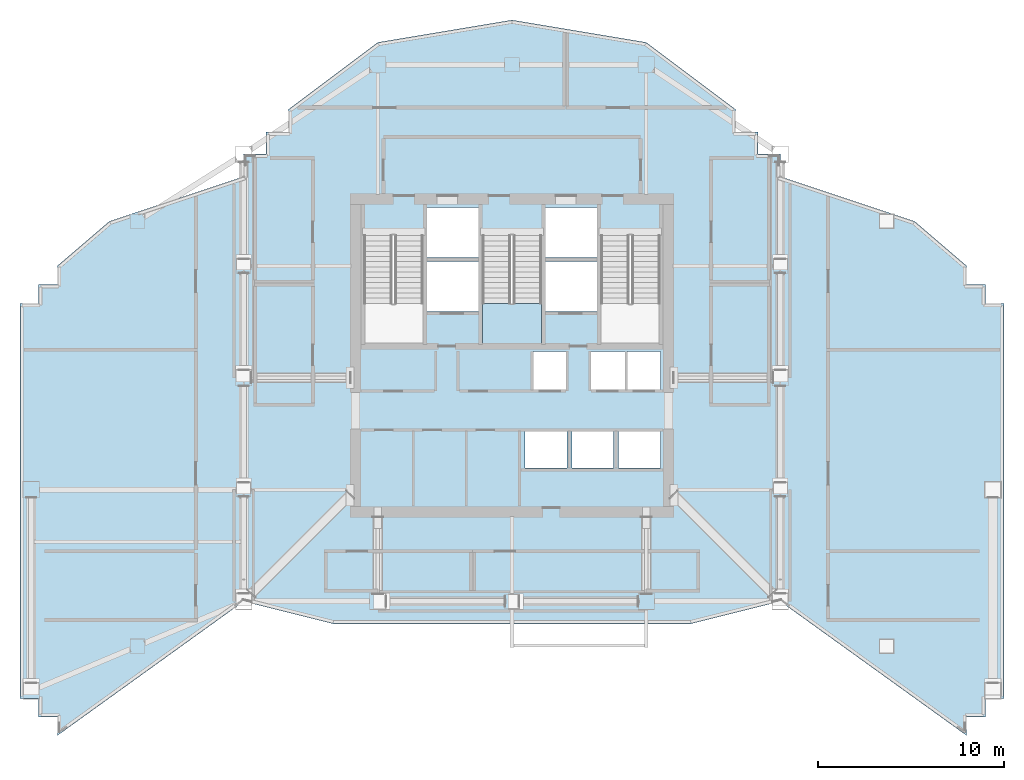
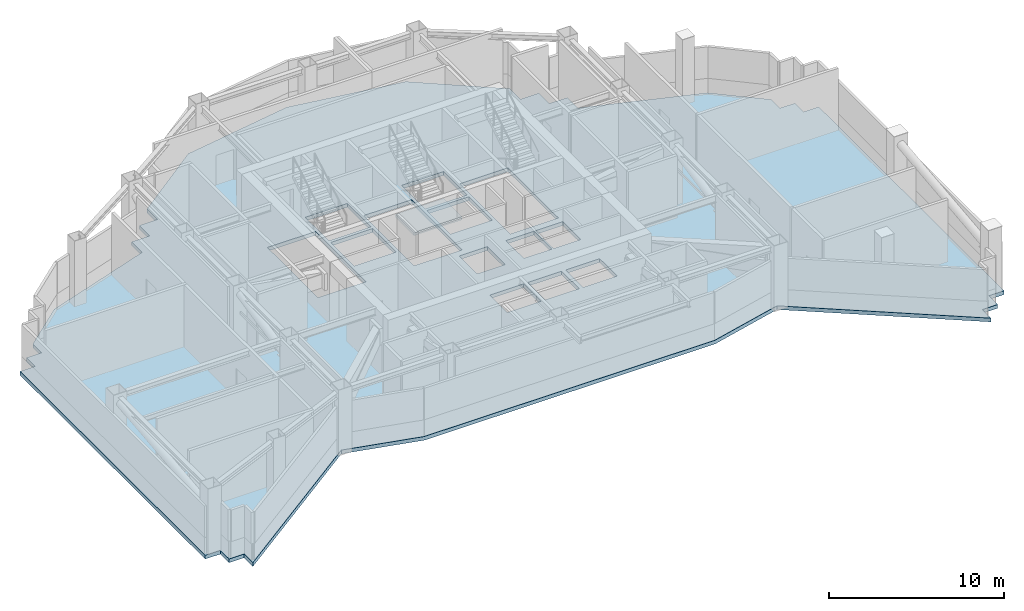
# One storey, part 4 of 19: 2 slabs, 1 element without a shape of its own.
"""IFC4 building model written with IfcOpenShell, lengths in metres."""

import ifcopenshell
import ifcopenshell.guid

model = None  # the IFC model being written
_history = None  # IfcOwnerHistory: only IFC2X3 demands one
_inside = {}  # id of a spatial element -> (the spatial element, [elements in it])
_under = {}  # id of a project, library or spatial element -> (it, [spatial elements below it])
_declared = {}  # id of a project -> (the project, [libraries it declares])
_typed = {}  # id of a type object -> (the type object, [elements of that type])
_made_of = {}  # id of a material, layer set ... -> (it, [elements and type objects made of it])


def new_model(schema):
    """Start an empty IFC model of exactly this schema.

    Asked for "IFC4X3", IfcOpenShell would pick the latest addendum, in which some entities
    have other attributes; the version numbers below select the first issue.
    IFC2X3 requires an IfcOwnerHistory on every rooted entity: one is made here for all.
    """
    global model, _history
    if schema == "IFC4X3":
        model = ifcopenshell.file(schema_version=(4, 3, 0, 0))
    else:
        model = ifcopenshell.file(schema=schema)
    _inside.clear()
    _under.clear()
    _declared.clear()
    _typed.clear()
    _made_of.clear()
    _history = None
    if model.schema == "IFC2X3":
        org = make("IfcOrganization", Name="unknown")
        user = make(
            "IfcPersonAndOrganization",
            ThePerson=make("IfcPerson", FamilyName="unknown"),
            TheOrganization=org,
        )
        app = make(
            "IfcApplication",
            ApplicationDeveloper=org,
            Version="unknown",
            ApplicationFullName="unknown",
            ApplicationIdentifier="unknown",
        )
        _history = make(
            "IfcOwnerHistory",
            OwningUser=user,
            OwningApplication=app,
            ChangeAction="ADDED",
            CreationDate=0,
        )
    return model


def make(cls, **values):
    """One entity of the class cls with the attributes given. An attribute that is None is left unset."""
    return model.create_entity(
        cls, **{name: value for name, value in values.items() if value is not None}
    )


def rooted(cls, **values):
    """An entity with a GlobalId (a new one), such as an element, a storey or a relation."""
    return make(cls, GlobalId=ifcopenshell.guid.new(), OwnerHistory=_history, **values)


def si_unit(unit_type, name, prefix=None):
    """IfcSIUnit, for example si_unit("LENGTHUNIT", "METRE", prefix="MILLI")."""
    return make("IfcSIUnit", UnitType=unit_type, Prefix=prefix, Name=name)


def assignment(units):
    """IfcUnitAssignment: the units of a project."""
    return None if units is None else make("IfcUnitAssignment", Units=units)


def point(xyz):
    """IfcCartesianPoint."""
    return None if xyz is None else make("IfcCartesianPoint", Coordinates=xyz)


def direction(xyz):
    """IfcDirection."""
    return None if xyz is None else make("IfcDirection", DirectionRatios=xyz)


def frame(location, z_axis=None, x_axis=None):
    """IfcAxis2Placement3D, a coordinate frame: its origin and axes. An axis left out is left unset."""
    return make(
        "IfcAxis2Placement3D",
        Location=point(location),
        Axis=direction(z_axis),
        RefDirection=direction(x_axis),
    )


def origin():
    """The frame at (0, 0, 0) with its axes left unset."""
    return frame((0.0, 0.0, 0.0))


def place(relative_to, where):
    """IfcLocalPlacement: puts the frame where relative to a parent placement (None: the world)."""
    return make(
        "IfcLocalPlacement", PlacementRelTo=relative_to, RelativePlacement=where
    )


def context(
    kind, dimensions, precision=None, world=None, true_north=None, identifier=None
):
    """IfcGeometricRepresentationContext, for example the 3D "Model" context."""
    return make(
        "IfcGeometricRepresentationContext",
        ContextIdentifier=identifier,
        ContextType=kind,
        CoordinateSpaceDimension=dimensions,
        Precision=precision,
        WorldCoordinateSystem=world,
        TrueNorth=true_north,
    )


def subcontext(parent, identifier, kind, view, scale=None):
    """IfcGeometricRepresentationSubContext, for example "Body" below "Model"."""
    return make(
        "IfcGeometricRepresentationSubContext",
        ContextIdentifier=identifier,
        ContextType=kind,
        ParentContext=parent,
        TargetScale=scale,
        TargetView=view,
    )


def project(units=None, contexts=None):
    """IfcProject with its units and contexts."""
    return rooted(
        "IfcProject",
        Name="project",
        RepresentationContexts=contexts,
        UnitsInContext=assignment(units),
    )


def spatial(cls, under=None, at=None, **own):
    """A site, building, storey or space (cls), placed at a placement, below another one or the project."""
    s = rooted(cls, ObjectPlacement=at, **own)
    if under is not None:
        _under.setdefault(under.id(), (under, []))[1].append(s)
    return s


def polyline(points):
    """IfcPolyline through the points."""
    return make("IfcPolyline", Points=[point(p) for p in points])


def outline(outer, holes=None, kind="AREA"):
    """IfcArbitraryClosedProfileDef: a profile drawn as a closed curve; with holes, ...WithVoids."""
    if holes is None:
        return make("IfcArbitraryClosedProfileDef", ProfileType=kind, OuterCurve=outer)
    return make(
        "IfcArbitraryProfileDefWithVoids",
        ProfileType=kind,
        OuterCurve=outer,
        InnerCurves=holes,
    )


def extrude(swept, where, along, depth):
    """IfcExtrudedAreaSolid: the profile swept, set in the frame where, extruded along a direction by depth."""
    return make(
        "IfcExtrudedAreaSolid",
        SweptArea=swept,
        Position=where,
        ExtrudedDirection=direction(along),
        Depth=depth,
    )


def shape(context_of_items, identifier, shape_type, items):
    """IfcShapeRepresentation: the items that make up one representation, for example the "Body"."""
    return make(
        "IfcShapeRepresentation",
        ContextOfItems=context_of_items,
        RepresentationIdentifier=identifier,
        RepresentationType=shape_type,
        Items=items,
    )


def material(Name=None, Category=None):
    """IfcMaterial."""
    return make("IfcMaterial", Name=Name, Category=Category)


def layer(
    of_material, thickness, ventilated=None, Name=None, Category=None, Priority=None
):
    """IfcMaterialLayer: one layer of a wall or slab, of a material (None: an air gap)."""
    return make(
        "IfcMaterialLayer",
        Material=of_material,
        LayerThickness=thickness,
        IsVentilated=ventilated,
        Name=Name,
        Category=Category,
        Priority=Priority,
    )


def layer_set(layers, Name=None):
    """IfcMaterialLayerSet."""
    return make("IfcMaterialLayerSet", MaterialLayers=layers, LayerSetName=Name)


def made_of(thing, what):
    """Note that an element or type object is made of a material, layer set ...; save() writes the relation."""
    if what is not None:
        _made_of.setdefault(what.id(), (what, []))[1].append(thing)
    return thing


def type_object(cls, material=None, **own):
    """A type object (cls), such as IfcWallType, which elements share."""
    return made_of(rooted(cls, **own), material)


def element(
    cls,
    number,
    at=None,
    inside=None,
    cuts=None,
    type_object=None,
    material=None,
    context=None,
    identifier="Body",
    shape_type=None,
    held_by="IfcProductDefinitionShape",
    body=None,
    shapes=None,
    **own,
):
    """One element of the class cls, such as IfcWall. Its Tag is "e" and its number.

    at: its placement. inside: the storey or other place that contains it. cuts: it is an
    opening in that element (IfcRelVoidsElement). A single representation is given by context,
    identifier, shape_type and body (its items); several are given by shapes. held_by: the class
    of the entity that holds the representations. save() writes the other relations.
    """
    e = rooted(cls, Tag="e%d" % number, ObjectPlacement=at, **own)
    if body is not None:
        shapes = [shape(context, identifier, shape_type, body)]
    if shapes is not None:
        e.Representation = make(held_by, Representations=shapes)
    if inside is not None:
        _inside.setdefault(inside.id(), (inside, []))[1].append(e)
    if cuts is not None:
        rooted(
            "IfcRelVoidsElement", RelatingBuildingElement=cuts, RelatedOpeningElement=e
        )
    if type_object is not None:
        _typed.setdefault(type_object.id(), (type_object, []))[1].append(e)
    return made_of(e, material)


def aggregate(whole, parts):
    """IfcRelAggregates: a whole, such as a stair, and the parts it consists of."""
    return rooted("IfcRelAggregates", RelatingObject=whole, RelatedObjects=parts)


def save(model, path):
    """Write the relations noted so far, then the file.

    IfcRelAggregates (storeys below a building ...), IfcRelContainedInSpatialStructure (elements
    in a storey), IfcRelDefinesByType, IfcRelAssociatesMaterial and IfcRelDeclares: one each for
    every whole, place, type object, material and project.
    """
    for whole, parts in _under.values():
        aggregate(whole, parts)
    for where, things in _inside.values():
        rooted(
            "IfcRelContainedInSpatialStructure",
            RelatedElements=things,
            RelatingStructure=where,
        )
    for kind, things in _typed.values():
        rooted("IfcRelDefinesByType", RelatedObjects=things, RelatingType=kind)
    for what, things in _made_of.values():
        rooted("IfcRelAssociatesMaterial", RelatedObjects=things, RelatingMaterial=what)
    for by, libraries in _declared.values():
        rooted("IfcRelDeclares", RelatingContext=by, RelatedDefinitions=libraries)
    model.write(path)


model = new_model("IFC4")

# Units and contexts
model_context = context("Model", 3, precision=1e-05, world=origin(), true_north=direction((0.0, 1.0)))
body_context = subcontext(model_context, "Body", "Model", "MODEL_VIEW")
ifc_project = project(units=[si_unit("LENGTHUNIT", "METRE"), si_unit("AREAUNIT", "SQUARE_METRE"), si_unit("VOLUMEUNIT", "CUBIC_METRE"), si_unit("PLANEANGLEUNIT", "RADIAN"), si_unit("MASSUNIT", "GRAM", prefix="KILO")], contexts=[model_context])

# Site, building, storey
site_placement = place(None, origin())
site = spatial("IfcSite", under=ifc_project, at=site_placement, CompositionType="ELEMENT")
building_placement = place(site_placement, origin())
building = spatial("IfcBuilding", under=site, at=building_placement, Name="Haolan Belvedere Tower", CompositionType="ELEMENT")
storey_placement = place(building_placement, frame((0.0, 0.0, 230.60009765625)))
storey = spatial("IfcBuildingStorey", under=building, at=storey_placement, Name="L58", CompositionType="ELEMENT", Elevation=230.60009765625)

# Slab
ifc_material_1 = material(Name="Concrete C45/55", Category="concrete")
ifc_layer_1 = layer(ifc_material_1, 0.260009765625, Name="Concrete C45/55")
ifc_layer_set_1 = layer_set([ifc_layer_1], Name="Concrete C45/55")
slab_type_1 = type_object("IfcSlabType", Name="SL-FLR-260", PredefinedType="FLOOR", material=ifc_layer_set_1)
slab_1_placement = place(storey_placement, frame((0.0, 0.0, -0.260009765625)))
element("IfcSlab", 1, at=slab_1_placement, inside=storey, type_object=slab_type_1, Name="L58 structural floor slab", PredefinedType="FLOOR", context=body_context, shape_type="SweptSolid", body=[
    extrude(outline(polyline([(24.0, 21.60009765625), (28.800048828125, 20.39990234375), (48.0, 20.39990234375), (52.800048828125, 21.60009765625), (62.800048828125, 14.39990234375), (62.800048828125, 15.39990234375), (63.800048828125, 15.39990234375), (63.800048828125, 16.39990234375), (64.800048828125, 16.39990234375), (64.800048828125, 37.60009765625), (63.800048828125, 37.60009765625), (63.800048828125, 38.60009765625), (62.800048828125, 38.60009765625), (62.800048828125, 39.60009765625), (60.0, 42.0), (52.800048828125, 44.39990234375), (52.800048828125, 45.60009765625), (51.60009765625, 45.60009765625), (51.60009765625, 46.800048828125), (50.39990234375, 46.800048828125), (50.39990234375, 48.0), (45.60009765625, 51.60009765625), (38.39990234375, 52.800048828125), (31.199951171875, 51.60009765625), (26.39990234375, 48.0), (26.39990234375, 46.800048828125), (25.199951171875, 46.800048828125), (25.199951171875, 45.60009765625), (24.0, 45.60009765625), (24.0, 44.39990234375), (16.800048828125, 42.0), (14.0, 39.60009765625), (14.0, 38.60009765625), (13.0, 38.60009765625), (13.0, 37.60009765625), (12.0, 37.60009765625), (12.0, 16.800048828125), (12.0, 16.39990234375), (13.0, 16.39990234375), (13.0, 15.39990234375), (14.0, 15.39990234375), (14.0, 14.39990234375), (24.0, 21.60009765625)]), holes=[polyline([(30.449951171875, 41.22998046875), (30.449951171875, 35.449951171875), (33.6298828125, 35.449951171875), (33.6298828125, 41.22998046875), (30.449951171875, 41.22998046875)]), polyline([(36.81005859375, 41.22998046875), (36.81005859375, 35.449951171875), (39.989990234375, 35.449951171875), (39.989990234375, 41.22998046875), (36.81005859375, 41.22998046875)]), polyline([(43.169921875, 41.22998046875), (43.169921875, 35.449951171875), (46.35009765625, 35.449951171875), (46.35009765625, 41.22998046875), (43.169921875, 41.22998046875)]), polyline([(33.830078125, 40.050048828125), (36.610107421875, 40.050048828125), (36.610107421875, 42.75), (33.830078125, 42.75), (33.830078125, 40.050048828125)]), polyline([(33.830078125, 37.14990234375), (36.610107421875, 37.14990234375), (36.610107421875, 39.85009765625), (33.830078125, 39.85009765625), (33.830078125, 37.14990234375)]), polyline([(40.18994140625, 40.050048828125), (42.969970703125, 40.050048828125), (42.969970703125, 42.75), (40.18994140625, 42.75), (40.18994140625, 40.050048828125)]), polyline([(40.18994140625, 37.14990234375), (42.969970703125, 37.14990234375), (42.969970703125, 39.85009765625), (40.18994140625, 39.85009765625), (40.18994140625, 37.14990234375)]), polyline([(39.5400390625, 32.949951171875), (41.389892578125, 32.949951171875), (41.389892578125, 35.0), (39.5400390625, 35.0), (39.5400390625, 32.949951171875)]), polyline([(42.6201171875, 32.949951171875), (44.469970703125, 32.949951171875), (44.469970703125, 35.0), (42.6201171875, 35.0), (42.6201171875, 32.949951171875)]), polyline([(44.580078125, 32.949951171875), (46.3798828125, 32.949951171875), (46.3798828125, 35.0), (44.580078125, 35.0), (44.580078125, 32.949951171875)]), polyline([(39.10009765625, 28.75), (41.340087890625, 28.75), (41.340087890625, 30.75), (39.10009765625, 30.75), (39.10009765625, 28.75)]), polyline([(41.610107421875, 28.75), (43.85009765625, 28.75), (43.85009765625, 30.75), (41.610107421875, 30.75), (41.610107421875, 28.75)]), polyline([(44.1201171875, 28.75), (46.360107421875, 28.75), (46.360107421875, 30.75), (44.1201171875, 30.75), (44.1201171875, 28.75)])]), origin(), (0.0, 0.0, 1.0), 0.260009765625),
])

# Stair, slab
ifc_material_2 = material(Name="Concrete C40/50", Category="concrete")
stair_type = type_object("IfcStairType", Name="STR-DL-28R-164", PredefinedType="HALF_TURN_STAIR", material=ifc_material_2)
stair_placement = place(storey_placement, origin())
stair = element("IfcStair", 2, at=stair_placement, inside=storey, type_object=stair_type, Name="L58 Smokeproof Core Exit Stair ST3", PredefinedType="HALF_TURN_STAIR")
ifc_layer_2 = layer(ifc_material_2, 0.199951171875, Name="Concrete C40/50")
ifc_layer_set_2 = layer_set([ifc_layer_2], Name="Concrete C40/50")
slab_type_2 = type_object("IfcSlabType", Name="SL-LAND-200", PredefinedType="LANDING", material=ifc_layer_set_2)
slab_2_placement = place(storey_placement, frame((0.0, 0.0, 2.099853515625)))
slab_2 = element("IfcSlab", 3, at=slab_2_placement, type_object=slab_type_2, Name="ST3 landing 1", PredefinedType="LANDING", context=body_context, shape_type="SweptSolid", body=[
    extrude(outline(polyline([(36.81005859375, 37.590087890625), (36.81005859375, 35.449951171875), (39.989990234375, 35.449951171875), (39.989990234375, 37.590087890625), (36.81005859375, 37.590087890625)])), origin(), (0.0, 0.0, 1.0), 0.199951171875),
])
aggregate(stair, [slab_2])

save(model, "model.ifc")
